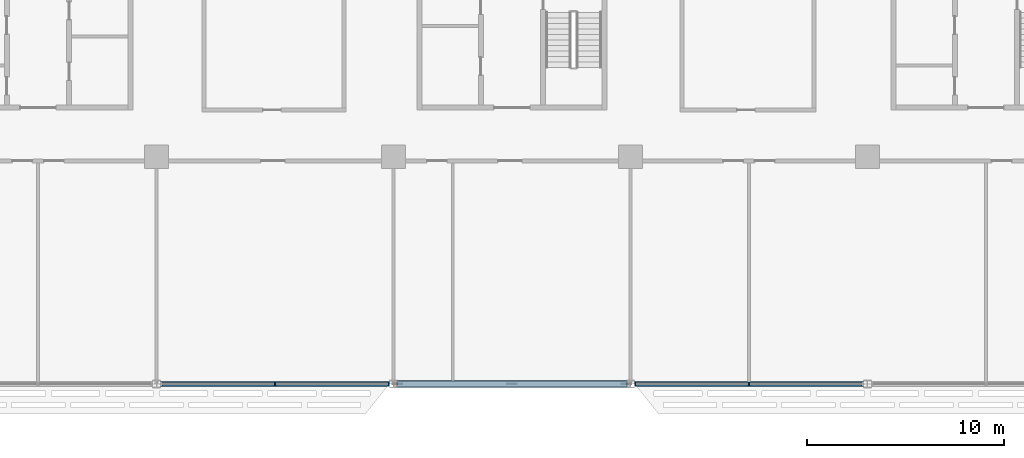
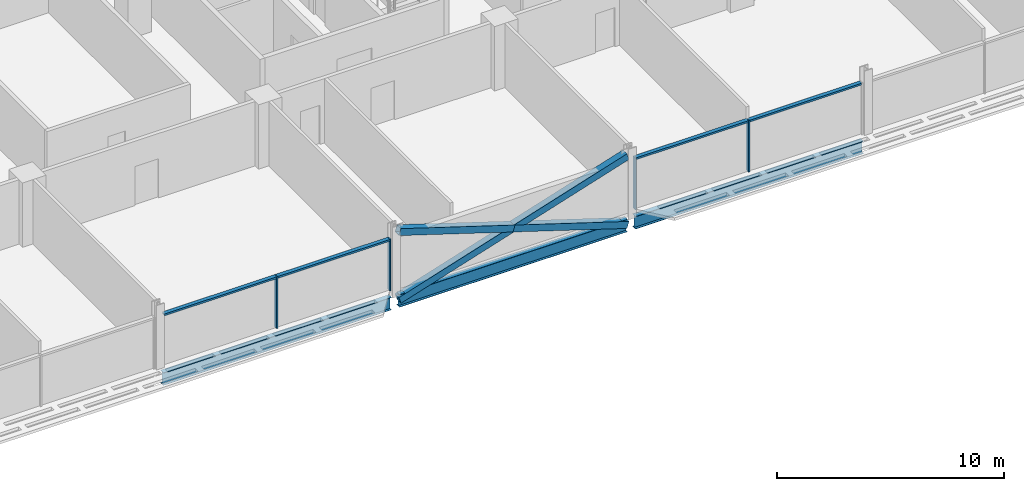
# One storey, part 5 of 27: 11 members, 3 beams, 2 elements without a shape of their own.
"""IFC4 building model written with IfcOpenShell, lengths in metres."""

import ifcopenshell
import ifcopenshell.guid

model = None  # the IFC model being written
_history = None  # IfcOwnerHistory: only IFC2X3 demands one
_inside = {}  # id of a spatial element -> (the spatial element, [elements in it])
_under = {}  # id of a project, library or spatial element -> (it, [spatial elements below it])
_declared = {}  # id of a project -> (the project, [libraries it declares])
_typed = {}  # id of a type object -> (the type object, [elements of that type])
_made_of = {}  # id of a material, layer set ... -> (it, [elements and type objects made of it])


def new_model(schema):
    """Start an empty IFC model of exactly this schema.

    Asked for "IFC4X3", IfcOpenShell would pick the latest addendum, in which some entities
    have other attributes; the version numbers below select the first issue.
    IFC2X3 requires an IfcOwnerHistory on every rooted entity: one is made here for all.
    """
    global model, _history
    if schema == "IFC4X3":
        model = ifcopenshell.file(schema_version=(4, 3, 0, 0))
    else:
        model = ifcopenshell.file(schema=schema)
    _inside.clear()
    _under.clear()
    _declared.clear()
    _typed.clear()
    _made_of.clear()
    _history = None
    if model.schema == "IFC2X3":
        org = make("IfcOrganization", Name="unknown")
        user = make(
            "IfcPersonAndOrganization",
            ThePerson=make("IfcPerson", FamilyName="unknown"),
            TheOrganization=org,
        )
        app = make(
            "IfcApplication",
            ApplicationDeveloper=org,
            Version="unknown",
            ApplicationFullName="unknown",
            ApplicationIdentifier="unknown",
        )
        _history = make(
            "IfcOwnerHistory",
            OwningUser=user,
            OwningApplication=app,
            ChangeAction="ADDED",
            CreationDate=0,
        )
    return model


def make(cls, **values):
    """One entity of the class cls with the attributes given. An attribute that is None is left unset."""
    return model.create_entity(
        cls, **{name: value for name, value in values.items() if value is not None}
    )


def rooted(cls, **values):
    """An entity with a GlobalId (a new one), such as an element, a storey or a relation."""
    return make(cls, GlobalId=ifcopenshell.guid.new(), OwnerHistory=_history, **values)


def si_unit(unit_type, name, prefix=None):
    """IfcSIUnit, for example si_unit("LENGTHUNIT", "METRE", prefix="MILLI")."""
    return make("IfcSIUnit", UnitType=unit_type, Prefix=prefix, Name=name)


def assignment(units):
    """IfcUnitAssignment: the units of a project."""
    return None if units is None else make("IfcUnitAssignment", Units=units)


def point(xyz):
    """IfcCartesianPoint."""
    return None if xyz is None else make("IfcCartesianPoint", Coordinates=xyz)


def direction(xyz):
    """IfcDirection."""
    return None if xyz is None else make("IfcDirection", DirectionRatios=xyz)


def frame(location, z_axis=None, x_axis=None):
    """IfcAxis2Placement3D, a coordinate frame: its origin and axes. An axis left out is left unset."""
    return make(
        "IfcAxis2Placement3D",
        Location=point(location),
        Axis=direction(z_axis),
        RefDirection=direction(x_axis),
    )


def frame_2d(location, x_axis=None):
    """IfcAxis2Placement2D, a coordinate frame in the plane: its origin and x axis."""
    return make(
        "IfcAxis2Placement2D", Location=point(location), RefDirection=direction(x_axis)
    )


def origin():
    """The frame at (0, 0, 0) with its axes left unset."""
    return frame((0.0, 0.0, 0.0))


def origin_2d():
    """The frame at (0, 0) in the plane with its x axis left unset."""
    return frame_2d((0.0, 0.0))


def place(relative_to, where):
    """IfcLocalPlacement: puts the frame where relative to a parent placement (None: the world)."""
    return make(
        "IfcLocalPlacement", PlacementRelTo=relative_to, RelativePlacement=where
    )


def context(
    kind, dimensions, precision=None, world=None, true_north=None, identifier=None
):
    """IfcGeometricRepresentationContext, for example the 3D "Model" context."""
    return make(
        "IfcGeometricRepresentationContext",
        ContextIdentifier=identifier,
        ContextType=kind,
        CoordinateSpaceDimension=dimensions,
        Precision=precision,
        WorldCoordinateSystem=world,
        TrueNorth=true_north,
    )


def subcontext(parent, identifier, kind, view, scale=None):
    """IfcGeometricRepresentationSubContext, for example "Body" below "Model"."""
    return make(
        "IfcGeometricRepresentationSubContext",
        ContextIdentifier=identifier,
        ContextType=kind,
        ParentContext=parent,
        TargetScale=scale,
        TargetView=view,
    )


def project(units=None, contexts=None):
    """IfcProject with its units and contexts."""
    return rooted(
        "IfcProject",
        Name="project",
        RepresentationContexts=contexts,
        UnitsInContext=assignment(units),
    )


def spatial(cls, under=None, at=None, **own):
    """A site, building, storey or space (cls), placed at a placement, below another one or the project."""
    s = rooted(cls, ObjectPlacement=at, **own)
    if under is not None:
        _under.setdefault(under.id(), (under, []))[1].append(s)
    return s


def profile(cls, at=None, kind="AREA", **sizes):
    """A parametric profile (cls). Its sizes go by their IFC names, for example OverallWidth=200.0."""
    return make(cls, ProfileType=kind, Position=at, **sizes)


def rectangle(**sizes):
    """IfcRectangleProfileDef."""
    return profile("IfcRectangleProfileDef", **sizes)


def hollow_rectangle(**sizes):
    """IfcRectangleHollowProfileDef."""
    return profile("IfcRectangleHollowProfileDef", **sizes)


def i_section(**sizes):
    """IfcIShapeProfileDef."""
    return profile("IfcIShapeProfileDef", **sizes)


def extrude(swept, where, along, depth):
    """IfcExtrudedAreaSolid: the profile swept, set in the frame where, extruded along a direction by depth."""
    return make(
        "IfcExtrudedAreaSolid",
        SweptArea=swept,
        Position=where,
        ExtrudedDirection=direction(along),
        Depth=depth,
    )


def shape(context_of_items, identifier, shape_type, items):
    """IfcShapeRepresentation: the items that make up one representation, for example the "Body"."""
    return make(
        "IfcShapeRepresentation",
        ContextOfItems=context_of_items,
        RepresentationIdentifier=identifier,
        RepresentationType=shape_type,
        Items=items,
    )


def material(Name=None, Category=None):
    """IfcMaterial."""
    return make("IfcMaterial", Name=Name, Category=Category)


def material_profile(
    of_material, cross_section, Name=None, Category=None, Priority=None
):
    """IfcMaterialProfile: a cross section and its material."""
    return make(
        "IfcMaterialProfile",
        Name=Name,
        Material=of_material,
        Profile=cross_section,
        Priority=Priority,
        Category=Category,
    )


def profile_set(profiles, Name=None, composite=None):
    """IfcMaterialProfileSet."""
    return make(
        "IfcMaterialProfileSet",
        Name=Name,
        MaterialProfiles=profiles,
        CompositeProfile=composite,
    )


def made_of(thing, what):
    """Note that an element or type object is made of a material, layer set ...; save() writes the relation."""
    if what is not None:
        _made_of.setdefault(what.id(), (what, []))[1].append(thing)
    return thing


def type_object(cls, material=None, **own):
    """A type object (cls), such as IfcWallType, which elements share."""
    return made_of(rooted(cls, **own), material)


def element(
    cls,
    number,
    at=None,
    inside=None,
    cuts=None,
    type_object=None,
    material=None,
    context=None,
    identifier="Body",
    shape_type=None,
    held_by="IfcProductDefinitionShape",
    body=None,
    shapes=None,
    **own,
):
    """One element of the class cls, such as IfcWall. Its Tag is "e" and its number.

    at: its placement. inside: the storey or other place that contains it. cuts: it is an
    opening in that element (IfcRelVoidsElement). A single representation is given by context,
    identifier, shape_type and body (its items); several are given by shapes. held_by: the class
    of the entity that holds the representations. save() writes the other relations.
    """
    e = rooted(cls, Tag="e%d" % number, ObjectPlacement=at, **own)
    if body is not None:
        shapes = [shape(context, identifier, shape_type, body)]
    if shapes is not None:
        e.Representation = make(held_by, Representations=shapes)
    if inside is not None:
        _inside.setdefault(inside.id(), (inside, []))[1].append(e)
    if cuts is not None:
        rooted(
            "IfcRelVoidsElement", RelatingBuildingElement=cuts, RelatedOpeningElement=e
        )
    if type_object is not None:
        _typed.setdefault(type_object.id(), (type_object, []))[1].append(e)
    return made_of(e, material)


def aggregate(whole, parts):
    """IfcRelAggregates: a whole, such as a stair, and the parts it consists of."""
    return rooted("IfcRelAggregates", RelatingObject=whole, RelatedObjects=parts)


def save(model, path):
    """Write the relations noted so far, then the file.

    IfcRelAggregates (storeys below a building ...), IfcRelContainedInSpatialStructure (elements
    in a storey), IfcRelDefinesByType, IfcRelAssociatesMaterial and IfcRelDeclares: one each for
    every whole, place, type object, material and project.
    """
    for whole, parts in _under.values():
        aggregate(whole, parts)
    for where, things in _inside.values():
        rooted(
            "IfcRelContainedInSpatialStructure",
            RelatedElements=things,
            RelatingStructure=where,
        )
    for kind, things in _typed.values():
        rooted("IfcRelDefinesByType", RelatedObjects=things, RelatingType=kind)
    for what, things in _made_of.values():
        rooted("IfcRelAssociatesMaterial", RelatedObjects=things, RelatingMaterial=what)
    for by, libraries in _declared.values():
        rooted("IfcRelDeclares", RelatingContext=by, RelatedDefinitions=libraries)
    model.write(path)


model = new_model("IFC4")

# Units and contexts
model_context = context("Model", 3, precision=1e-05, world=origin(), true_north=direction((0.0, 1.0)))
body_context = subcontext(model_context, "Body", "Model", "MODEL_VIEW")
ifc_project = project(units=[si_unit("LENGTHUNIT", "METRE"), si_unit("AREAUNIT", "SQUARE_METRE"), si_unit("VOLUMEUNIT", "CUBIC_METRE"), si_unit("PLANEANGLEUNIT", "RADIAN"), si_unit("MASSUNIT", "GRAM", prefix="KILO")], contexts=[model_context])

# Site, building, storey
site_placement = place(None, origin())
site = spatial("IfcSite", under=ifc_project, at=site_placement, CompositionType="ELEMENT")
building_placement = place(site_placement, origin())
building = spatial("IfcBuilding", under=site, at=building_placement, Name="Mahtab Terrace Research Tower", CompositionType="ELEMENT")
storey_placement = place(building_placement, frame((0.0, 0.0, 170.60009765625)))
storey = spatial("IfcBuildingStorey", under=building, at=storey_placement, Name="L40", CompositionType="ELEMENT", Elevation=170.60009765625)

# Members
ifc_material_1 = material(Name="Steel ASTM A500 Gr C", Category="steel")
ifc_material_profile_1 = material_profile(ifc_material_1, hollow_rectangle(XDim=0.355712890625, YDim=0.355712890625, WallThickness=0.015869140625, at=origin_2d()), Name="HSS14X14X5/8")
ifc_profile_set_1 = profile_set([ifc_material_profile_1], Name="Steel ASTM A500 Gr C")
member_type_1 = type_object("IfcMemberType", Name="HSS 14x14x5/8 brace XB141458", PredefinedType="BRACE", material=ifc_profile_set_1)
member_1_placement = place(storey_placement, frame((-5.796875, -23.0, -0.61474609375), z_axis=(0.953347232701, 0.0, 0.301875891554), x_axis=(0.0, 1.0, 0.0)))
element("IfcMember", 1, at=member_1_placement, inside=storey, type_object=member_type_1, Name="Exoskeleton brace L40 15 a", PredefinedType="BRACE", context=body_context, shape_type="SweptSolid", body=[
    extrude(hollow_rectangle(XDim=0.355712890625, YDim=0.355712890625, WallThickness=0.015869140625, at=origin_2d()), origin(), (0.0, 0.0, 1.0), 12.1611328125),
])
for number, where, z_axis, x_axis, name in (
    (2, (5.796875, -23.0, -0.61474609375), (-0.953353010152, 0.0, 0.301857645313), (0.0, -1.0, 0.0), "Exoskeleton brace L40 15 b1"),
    (3, (0.0, -23.0, 1.220703125), (-0.953341454971, 0.0, 0.301894137463), (0.0, -1.0, 0.0), "Exoskeleton brace L40 15 b2"),
):
    element("IfcMember", number, at=place(storey_placement, frame(where, z_axis=z_axis, x_axis=x_axis)), inside=storey, type_object=member_type_1, Name=name, PredefinedType="BRACE", context=body_context, shape_type="SweptSolid", body=[
        extrude(hollow_rectangle(XDim=0.355712890625, YDim=0.355712890625, WallThickness=0.015869140625, at=origin_2d()), origin(), (0.0, 0.0, 1.0), 6.08056640625),
    ])

# Curtain wall, members
ifc_material_2 = material(Name="Laboratory ribbon curtain wall")
curtain_wall_type = type_object("IfcCurtainWallType", Name="Laboratory ribbon curtain wall", PredefinedType="NOTDEFINED", material=ifc_material_2)
curtain_wall_1_placement = place(storey_placement, origin())
curtain_wall_1 = element("IfcCurtainWall", 4, at=curtain_wall_1_placement, inside=storey, type_object=curtain_wall_type, Name="EN.L40.13.25", PredefinedType="NOTDEFINED")
ifc_material_3 = material(Name="Natural anodised aluminium", Category="aluminium")
ifc_material_profile_2 = material_profile(ifc_material_3, rectangle(XDim=0.199951171875, YDim=0.06494140625, at=origin_2d()), Name="MULLION 65x200")
ifc_profile_set_2 = profile_set([ifc_material_profile_2], Name="Natural anodised aluminium")
member_type_2 = type_object("IfcMemberType", Name="Laboratory ribbon curtain wall mullion", PredefinedType="MULLION", material=ifc_profile_set_2)
member_2_placement = place(storey_placement, frame((-12.0, -23.0, 0.0), z_axis=(0.0, 0.0, 1.0), x_axis=(0.0, 1.0, 0.0)))
member_2 = element("IfcMember", 5, at=member_2_placement, type_object=member_type_2, Name="CWL-5 mullion 2", PredefinedType="MULLION", context=body_context, shape_type="SweptSolid", body=[
    extrude(rectangle(XDim=0.199951171875, YDim=0.06494140625, at=origin_2d()), origin(), (0.0, 0.0, 1.0), 2.78173828125),
])
member_3_placement = place(storey_placement, frame((-6.240478515625, -23.0, 0.0), z_axis=(0.0, 0.0, 1.0), x_axis=(0.0, 1.0, 0.0)))
member_3 = element("IfcMember", 6, at=member_3_placement, type_object=member_type_2, Name="CWL-5 mullion 3", PredefinedType="MULLION", context=body_context, shape_type="SweptSolid", body=[
    extrude(rectangle(XDim=0.199951171875, YDim=0.06494140625, at=origin_2d()), origin(), (0.0, 0.0, 1.0), 2.78173828125),
])

curtain_wall_2_placement = place(storey_placement, origin())
curtain_wall_2 = element("IfcCurtainWall", 7, at=curtain_wall_2_placement, inside=storey, type_object=curtain_wall_type, Name="EN.L40.13.27", PredefinedType="NOTDEFINED")
member_4_placement = place(storey_placement, frame((6.240478515625, -23.0, 0.0), z_axis=(0.0, 0.0, 1.0), x_axis=(0.0, 1.0, 0.0)))
member_4 = element("IfcMember", 8, at=member_4_placement, type_object=member_type_2, Name="CWL-5 mullion 1", PredefinedType="MULLION", context=body_context, shape_type="SweptSolid", body=[
    extrude(rectangle(XDim=0.199951171875, YDim=0.06494140625, at=origin_2d()), origin(), (0.0, 0.0, 1.0), 2.78173828125),
])
member_5_placement = place(storey_placement, frame((12.0, -23.0, 0.0), z_axis=(0.0, 0.0, 1.0), x_axis=(0.0, 1.0, 0.0)))
member_5 = element("IfcMember", 9, at=member_5_placement, type_object=member_type_2, Name="CWL-5 mullion 2", PredefinedType="MULLION", context=body_context, shape_type="SweptSolid", body=[
    extrude(rectangle(XDim=0.199951171875, YDim=0.06494140625, at=origin_2d()), origin(), (0.0, 0.0, 1.0), 2.78173828125),
])

# Member
ifc_material_profile_3 = material_profile(ifc_material_3, rectangle(XDim=0.199951171875, YDim=0.10009765625, at=origin_2d()), Name="TRANSOM 100x200")
ifc_profile_set_3 = profile_set([ifc_material_profile_3], Name="Natural anodised aluminium")
member_type_3 = type_object("IfcMemberType", Name="Laboratory ribbon curtain wall transom", PredefinedType="USERDEFINED", material=ifc_profile_set_3)
member_6_placement = place(storey_placement, frame((-17.72705078125, -23.0, 2.731689453125), z_axis=(1.0, 0.0, 0.0), x_axis=(0.0, 1.0, 0.0)))
member_6 = element("IfcMember", 10, at=member_6_placement, type_object=member_type_3, Name="CWL-5 transom 1", ObjectType="TRANSOM", PredefinedType="USERDEFINED", context=body_context, shape_type="SweptSolid", body=[
    extrude(rectangle(XDim=0.199951171875, YDim=0.10009765625, at=origin_2d()), origin(), (0.0, 0.0, 1.0), 5.694580078125),
])

member_7_placement = place(storey_placement, frame((-11.967529296875, -23.0, 2.731689453125), z_axis=(1.0, 0.0, 0.0), x_axis=(0.0, 1.0, 0.0)))
member_7 = element("IfcMember", 11, at=member_7_placement, type_object=member_type_3, Name="CWL-5 transom 2", ObjectType="TRANSOM", PredefinedType="USERDEFINED", context=body_context, shape_type="SweptSolid", body=[
    extrude(rectangle(XDim=0.199951171875, YDim=0.10009765625, at=origin_2d()), origin(), (0.0, 0.0, 1.0), 5.694580078125),
])

aggregate(curtain_wall_1, [member_2, member_3, member_6, member_7])

member_8_placement = place(storey_placement, frame((6.27294921875, -23.0, 2.731689453125), z_axis=(1.0, 0.0, 0.0), x_axis=(0.0, 1.0, 0.0)))
member_8 = element("IfcMember", 12, at=member_8_placement, type_object=member_type_3, Name="CWL-5 transom 1", ObjectType="TRANSOM", PredefinedType="USERDEFINED", context=body_context, shape_type="SweptSolid", body=[
    extrude(rectangle(XDim=0.199951171875, YDim=0.10009765625, at=origin_2d()), origin(), (0.0, 0.0, 1.0), 5.694580078125),
])

member_9_placement = place(storey_placement, frame((12.032470703125, -23.0, 2.731689453125), z_axis=(1.0, 0.0, 0.0), x_axis=(0.0, 1.0, 0.0)))
member_9 = element("IfcMember", 13, at=member_9_placement, type_object=member_type_3, Name="CWL-5 transom 2", ObjectType="TRANSOM", PredefinedType="USERDEFINED", context=body_context, shape_type="SweptSolid", body=[
    extrude(rectangle(XDim=0.199951171875, YDim=0.10009765625, at=origin_2d()), origin(), (0.0, 0.0, 1.0), 5.694580078125),
])

aggregate(curtain_wall_2, [member_4, member_5, member_8, member_9])

# Beams
ifc_material_4 = material(Name="Steel ASTM A992 Gr 50", Category="steel")
ifc_material_profile_4 = material_profile(ifc_material_4, i_section(OverallWidth=0.25390625, OverallDepth=0.67822265625, WebThickness=0.01171875, FlangeThickness=0.016357421875, at=origin_2d()), Name="W27X84")
ifc_profile_set_4 = profile_set([ifc_material_profile_4], Name="Steel ASTM A992 Gr 50")
beam_type = type_object("IfcBeamType", Name="W27x84 beam BS2784", PredefinedType="BEAM", material=ifc_profile_set_4)
for number, where, z_axis, x_axis, name in (
    (14, (-17.796875, -23.0, -0.67919921875), (1.0, 0.0, 0.0), (0.0, 1.0, 0.0), "Spandrel beam L40 14"),
    (15, (-5.796875, -23.0, -0.67919921875), (1.0, 0.0, 0.0), (0.0, 1.0, 0.0), "Spandrel beam L40 15"),
    (16, (6.203125, -23.0, -0.67919921875), (1.0, 0.0, 0.0), (0.0, 1.0, 0.0), "Spandrel beam L40 16"),
):
    element("IfcBeam", number, at=place(storey_placement, frame(where, z_axis=z_axis, x_axis=x_axis)), inside=storey, type_object=beam_type, Name=name, PredefinedType="BEAM", context=body_context, shape_type="SweptSolid", body=[
        extrude(i_section(OverallWidth=0.25390625, OverallDepth=0.67822265625, WebThickness=0.01171875, FlangeThickness=0.016357421875, at=origin_2d()), origin(), (0.0, 0.0, 1.0), 11.59375),
    ])

save(model, "model.ifc")
